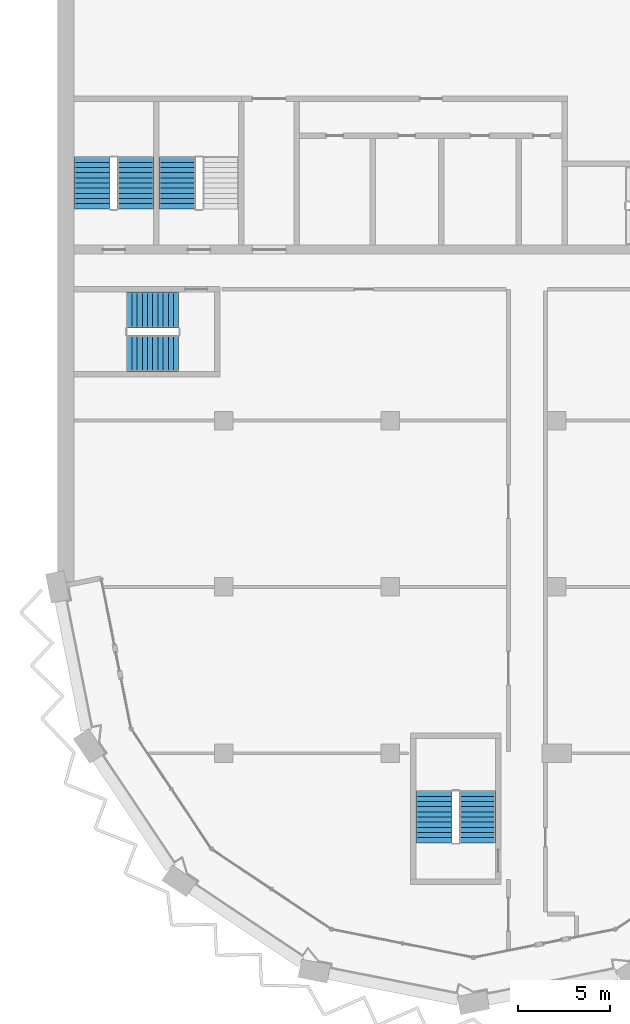
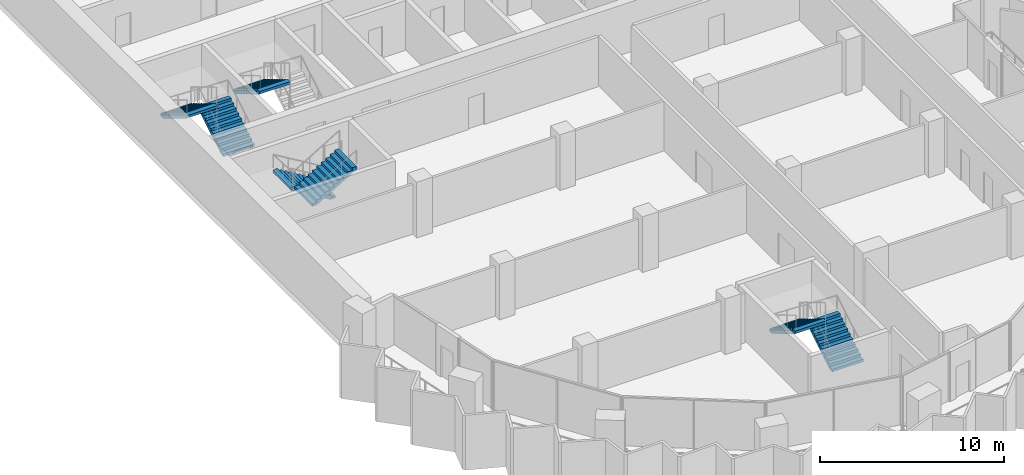
# One storey, part 11 of 16: 7 stair flights, 4 elements without a shape of their own.
"""IFC4 building model written with IfcOpenShell, lengths in metres."""

from ifc_helpers import new_model, si_unit, direction, frame, origin, place, context, subcontext, project, spatial, polyline, outline, extrude, material, type_object, element, aggregate, save


model = new_model("IFC4")

# Units and contexts
model_context = context("Model", 3, precision=1e-05, world=origin(), true_north=direction((0.0, 1.0)))
body_context = subcontext(model_context, "Body", "Model", "MODEL_VIEW")
ifc_project = project(units=[si_unit("LENGTHUNIT", "METRE"), si_unit("AREAUNIT", "SQUARE_METRE"), si_unit("VOLUMEUNIT", "CUBIC_METRE"), si_unit("PLANEANGLEUNIT", "RADIAN"), si_unit("MASSUNIT", "GRAM", prefix="KILO")], contexts=[model_context])

# Site, building, storey
site_placement = place(None, origin())
site = spatial("IfcSite", under=ifc_project, at=site_placement, CompositionType="ELEMENT")
building_placement = place(site_placement, origin())
building = spatial("IfcBuilding", under=site, at=building_placement, Name="Hunhe Ridgeline Campus", CompositionType="ELEMENT")
storey_placement = place(building_placement, frame((0.0, 0.0, 235.5)))
storey = spatial("IfcBuildingStorey", under=building, at=storey_placement, Name="L60", CompositionType="ELEMENT", Elevation=235.5)

# Stair, stair flights
ifc_material = material(Name="Concrete C40", Category="concrete")
stair_type = type_object("IfcStairType", Name="Reinforced concrete dog-leg stair 1950 Concrete C40", PredefinedType="HALF_TURN_STAIR", material=ifc_material)
stair_1_placement = place(storey_placement, origin())
stair_1 = element("IfcStair", 1, at=stair_1_placement, inside=storey, type_object=stair_type, Name="L60 S3", PredefinedType="HALF_TURN_STAIR")
stair_flight_type = type_object("IfcStairFlightType", Name="Reinforced concrete stair flight 1950 Concrete C40", PredefinedType="STRAIGHT", material=ifc_material)
stair_flight_1_placement = place(storey_placement, frame((4.22509765625, 65.449951171875, 0.0), z_axis=(0.0, 0.0, 1.0), x_axis=(0.0, 1.0, 0.0)))
stair_flight_1 = element("IfcStairFlight", 2, at=stair_flight_1_placement, type_object=stair_flight_type, Name="ST3 flight 1", NumberOfRisers=11, NumberOfTreads=10, PredefinedType="STRAIGHT", RiserHeight=0.168181818, TreadLength=0.28, context=body_context, shape_type="SweptSolid", body=[
    extrude(outline(polyline([(0.0, 0.0), (0.0, 0.168212890625), (0.280029296875, 0.168212890625), (0.280029296875, 0.33642578125), (0.56005859375, 0.33642578125), (0.56005859375, 0.504638671875), (0.840087890625, 0.504638671875), (0.840087890625, 0.672607421875), (1.1201171875, 0.672607421875), (1.1201171875, 0.8408203125), (1.39990234375, 0.8408203125), (1.39990234375, 1.009033203125), (1.679931640625, 1.009033203125), (1.679931640625, 1.17724609375), (1.9599609375, 1.17724609375), (1.9599609375, 1.345458984375), (2.239990234375, 1.345458984375), (2.239990234375, 1.513671875), (2.52001953125, 1.513671875), (2.52001953125, 1.681884765625), (2.800048828125, 1.681884765625), (2.800048828125, 1.85009765625), (2.800048828125, 1.5068359375), (0.291015625, 0.0), (0.0, 0.0)])), frame((0.0, 0.97509765625, 0.0), z_axis=(0.0, -1.0, 0.0), x_axis=(1.0, 0.0, 0.0)), (0.0, 0.0, 1.0), 1.949951171875),
    extrude(outline(polyline([(0.030029296875, 0.030029296875), (0.030029296875, 0.13818359375), (0.31005859375, 0.13818359375), (0.31005859375, 0.306396484375), (0.590087890625, 0.306396484375), (0.590087890625, 0.474609375), (0.8701171875, 0.474609375), (0.8701171875, 0.642578125), (1.14990234375, 0.642578125), (1.14990234375, 0.810791015625), (1.429931640625, 0.810791015625), (1.429931640625, 0.97900390625), (1.7099609375, 0.97900390625), (1.7099609375, 1.147216796875), (1.989990234375, 1.147216796875), (1.989990234375, 1.3154296875), (2.27001953125, 1.3154296875), (2.27001953125, 1.483642578125), (2.550048828125, 1.483642578125), (2.550048828125, 1.65185546875), (2.77001953125, 1.65185546875), (2.77001953125, 1.52392578125), (0.28271484375, 0.030029296875), (0.030029296875, 0.030029296875)])), frame((0.0, -0.070068359375, 0.0), z_axis=(0.0, -1.0, 0.0), x_axis=(1.0, 0.0, 0.0)), (0.0, 0.0, 1.0), 0.019775390625),
    extrude(outline(polyline([(0.030029296875, 0.030029296875), (0.030029296875, 0.13818359375), (0.31005859375, 0.13818359375), (0.31005859375, 0.306396484375), (0.590087890625, 0.306396484375), (0.590087890625, 0.474609375), (0.8701171875, 0.474609375), (0.8701171875, 0.642578125), (1.14990234375, 0.642578125), (1.14990234375, 0.810791015625), (1.429931640625, 0.810791015625), (1.429931640625, 0.97900390625), (1.7099609375, 0.97900390625), (1.7099609375, 1.147216796875), (1.989990234375, 1.147216796875), (1.989990234375, 1.3154296875), (2.27001953125, 1.3154296875), (2.27001953125, 1.483642578125), (2.550048828125, 1.483642578125), (2.550048828125, 1.65185546875), (2.77001953125, 1.65185546875), (2.77001953125, 1.52392578125), (0.28271484375, 0.030029296875), (0.030029296875, 0.030029296875)])), frame((0.0, 0.010009765625, 0.0), z_axis=(0.0, -1.0, 0.0), x_axis=(1.0, 0.0, 0.0)), (0.0, 0.0, 1.0), 0.019775390625),
    extrude(outline(polyline([(0.030029296875, 0.030029296875), (0.030029296875, 0.13818359375), (0.31005859375, 0.13818359375), (0.31005859375, 0.306396484375), (0.590087890625, 0.306396484375), (0.590087890625, 0.474609375), (0.8701171875, 0.474609375), (0.8701171875, 0.642578125), (1.14990234375, 0.642578125), (1.14990234375, 0.810791015625), (1.429931640625, 0.810791015625), (1.429931640625, 0.97900390625), (1.7099609375, 0.97900390625), (1.7099609375, 1.147216796875), (1.989990234375, 1.147216796875), (1.989990234375, 1.3154296875), (2.27001953125, 1.3154296875), (2.27001953125, 1.483642578125), (2.550048828125, 1.483642578125), (2.550048828125, 1.65185546875), (2.77001953125, 1.65185546875), (2.77001953125, 1.52392578125), (0.28271484375, 0.030029296875), (0.030029296875, 0.030029296875)])), frame((0.0, 0.090087890625, 0.0), z_axis=(0.0, -1.0, 0.0), x_axis=(1.0, 0.0, 0.0)), (0.0, 0.0, 1.0), 0.019775390625),
])
stair_flight_2_placement = place(storey_placement, frame((1.875, 68.25, 1.85009765625), z_axis=(0.0, 0.0, 1.0), x_axis=(0.0, -1.0, 0.0)))
stair_flight_2 = element("IfcStairFlight", 3, at=stair_flight_2_placement, type_object=stair_flight_type, Name="ST3 flight 2", NumberOfRisers=11, NumberOfTreads=10, PredefinedType="STRAIGHT", RiserHeight=0.168181818, TreadLength=0.28, context=body_context, shape_type="SweptSolid", body=[
    extrude(outline(polyline([(0.0, 0.0), (0.0, 0.168212890625), (0.280029296875, 0.168212890625), (0.280029296875, 0.33642578125), (0.56005859375, 0.33642578125), (0.56005859375, 0.504638671875), (0.840087890625, 0.504638671875), (0.840087890625, 0.672607421875), (1.1201171875, 0.672607421875), (1.1201171875, 0.8408203125), (1.39990234375, 0.8408203125), (1.39990234375, 1.009033203125), (1.679931640625, 1.009033203125), (1.679931640625, 1.17724609375), (1.9599609375, 1.17724609375), (1.9599609375, 1.345458984375), (2.239990234375, 1.345458984375), (2.239990234375, 1.513671875), (2.52001953125, 1.513671875), (2.52001953125, 1.681884765625), (2.800048828125, 1.681884765625), (2.800048828125, 1.85009765625), (2.800048828125, 1.5068359375), (0.291015625, 0.0), (0.0, 0.0)])), frame((0.0, 0.97509765625, 0.0), z_axis=(0.0, -1.0, 0.0), x_axis=(1.0, 0.0, 0.0)), (0.0, 0.0, 1.0), 1.949951171875),
    extrude(outline(polyline([(0.030029296875, 0.030029296875), (0.030029296875, 0.13818359375), (0.31005859375, 0.13818359375), (0.31005859375, 0.306396484375), (0.590087890625, 0.306396484375), (0.590087890625, 0.474609375), (0.8701171875, 0.474609375), (0.8701171875, 0.642578125), (1.14990234375, 0.642578125), (1.14990234375, 0.810791015625), (1.429931640625, 0.810791015625), (1.429931640625, 0.97900390625), (1.7099609375, 0.97900390625), (1.7099609375, 1.147216796875), (1.989990234375, 1.147216796875), (1.989990234375, 1.3154296875), (2.27001953125, 1.3154296875), (2.27001953125, 1.483642578125), (2.550048828125, 1.483642578125), (2.550048828125, 1.65185546875), (2.77001953125, 1.65185546875), (2.77001953125, 1.52392578125), (0.28271484375, 0.030029296875), (0.030029296875, 0.030029296875)])), frame((0.0, -0.070068359375, 0.0), z_axis=(0.0, -1.0, 0.0), x_axis=(1.0, 0.0, 0.0)), (0.0, 0.0, 1.0), 0.019775390625),
    extrude(outline(polyline([(0.030029296875, 0.030029296875), (0.030029296875, 0.13818359375), (0.31005859375, 0.13818359375), (0.31005859375, 0.306396484375), (0.590087890625, 0.306396484375), (0.590087890625, 0.474609375), (0.8701171875, 0.474609375), (0.8701171875, 0.642578125), (1.14990234375, 0.642578125), (1.14990234375, 0.810791015625), (1.429931640625, 0.810791015625), (1.429931640625, 0.97900390625), (1.7099609375, 0.97900390625), (1.7099609375, 1.147216796875), (1.989990234375, 1.147216796875), (1.989990234375, 1.3154296875), (2.27001953125, 1.3154296875), (2.27001953125, 1.483642578125), (2.550048828125, 1.483642578125), (2.550048828125, 1.65185546875), (2.77001953125, 1.65185546875), (2.77001953125, 1.52392578125), (0.28271484375, 0.030029296875), (0.030029296875, 0.030029296875)])), frame((0.0, 0.010009765625, 0.0), z_axis=(0.0, -1.0, 0.0), x_axis=(1.0, 0.0, 0.0)), (0.0, 0.0, 1.0), 0.019775390625),
    extrude(outline(polyline([(0.030029296875, 0.030029296875), (0.030029296875, 0.13818359375), (0.31005859375, 0.13818359375), (0.31005859375, 0.306396484375), (0.590087890625, 0.306396484375), (0.590087890625, 0.474609375), (0.8701171875, 0.474609375), (0.8701171875, 0.642578125), (1.14990234375, 0.642578125), (1.14990234375, 0.810791015625), (1.429931640625, 0.810791015625), (1.429931640625, 0.97900390625), (1.7099609375, 0.97900390625), (1.7099609375, 1.147216796875), (1.989990234375, 1.147216796875), (1.989990234375, 1.3154296875), (2.27001953125, 1.3154296875), (2.27001953125, 1.483642578125), (2.550048828125, 1.483642578125), (2.550048828125, 1.65185546875), (2.77001953125, 1.65185546875), (2.77001953125, 1.52392578125), (0.28271484375, 0.030029296875), (0.030029296875, 0.030029296875)])), frame((0.0, 0.090087890625, 0.0), z_axis=(0.0, -1.0, 0.0), x_axis=(1.0, 0.0, 0.0)), (0.0, 0.0, 1.0), 0.019775390625),
])
aggregate(stair_1, [stair_flight_1, stair_flight_2])

# Stair, stair flight
stair_2_placement = place(storey_placement, origin())
stair_2 = element("IfcStair", 4, at=stair_2_placement, inside=storey, type_object=stair_type, Name="L60 S4", PredefinedType="HALF_TURN_STAIR")
stair_flight_3_placement = place(storey_placement, frame((6.47509765625, 68.25, 1.85009765625), z_axis=(0.0, 0.0, 1.0), x_axis=(0.0, -1.0, 0.0)))
stair_flight_3 = element("IfcStairFlight", 5, at=stair_flight_3_placement, type_object=stair_flight_type, Name="ST4 flight 2", NumberOfRisers=11, NumberOfTreads=10, PredefinedType="STRAIGHT", RiserHeight=0.168181818, TreadLength=0.28, context=body_context, shape_type="SweptSolid", body=[
    extrude(outline(polyline([(0.0, 0.0), (0.0, 0.168212890625), (0.280029296875, 0.168212890625), (0.280029296875, 0.33642578125), (0.56005859375, 0.33642578125), (0.56005859375, 0.504638671875), (0.840087890625, 0.504638671875), (0.840087890625, 0.672607421875), (1.1201171875, 0.672607421875), (1.1201171875, 0.8408203125), (1.39990234375, 0.8408203125), (1.39990234375, 1.009033203125), (1.679931640625, 1.009033203125), (1.679931640625, 1.17724609375), (1.9599609375, 1.17724609375), (1.9599609375, 1.345458984375), (2.239990234375, 1.345458984375), (2.239990234375, 1.513671875), (2.52001953125, 1.513671875), (2.52001953125, 1.681884765625), (2.800048828125, 1.681884765625), (2.800048828125, 1.85009765625), (2.800048828125, 1.5068359375), (0.291015625, 0.0), (0.0, 0.0)])), frame((0.0, 0.97509765625, 0.0), z_axis=(0.0, -1.0, 0.0), x_axis=(1.0, 0.0, 0.0)), (0.0, 0.0, 1.0), 1.949951171875),
    extrude(outline(polyline([(0.030029296875, 0.030029296875), (0.030029296875, 0.13818359375), (0.31005859375, 0.13818359375), (0.31005859375, 0.306396484375), (0.590087890625, 0.306396484375), (0.590087890625, 0.474609375), (0.8701171875, 0.474609375), (0.8701171875, 0.642578125), (1.14990234375, 0.642578125), (1.14990234375, 0.810791015625), (1.429931640625, 0.810791015625), (1.429931640625, 0.97900390625), (1.7099609375, 0.97900390625), (1.7099609375, 1.147216796875), (1.989990234375, 1.147216796875), (1.989990234375, 1.3154296875), (2.27001953125, 1.3154296875), (2.27001953125, 1.483642578125), (2.550048828125, 1.483642578125), (2.550048828125, 1.65185546875), (2.77001953125, 1.65185546875), (2.77001953125, 1.52392578125), (0.28271484375, 0.030029296875), (0.030029296875, 0.030029296875)])), frame((0.0, -0.070068359375, 0.0), z_axis=(0.0, -1.0, 0.0), x_axis=(1.0, 0.0, 0.0)), (0.0, 0.0, 1.0), 0.019775390625),
    extrude(outline(polyline([(0.030029296875, 0.030029296875), (0.030029296875, 0.13818359375), (0.31005859375, 0.13818359375), (0.31005859375, 0.306396484375), (0.590087890625, 0.306396484375), (0.590087890625, 0.474609375), (0.8701171875, 0.474609375), (0.8701171875, 0.642578125), (1.14990234375, 0.642578125), (1.14990234375, 0.810791015625), (1.429931640625, 0.810791015625), (1.429931640625, 0.97900390625), (1.7099609375, 0.97900390625), (1.7099609375, 1.147216796875), (1.989990234375, 1.147216796875), (1.989990234375, 1.3154296875), (2.27001953125, 1.3154296875), (2.27001953125, 1.483642578125), (2.550048828125, 1.483642578125), (2.550048828125, 1.65185546875), (2.77001953125, 1.65185546875), (2.77001953125, 1.52392578125), (0.28271484375, 0.030029296875), (0.030029296875, 0.030029296875)])), frame((0.0, 0.010009765625, 0.0), z_axis=(0.0, -1.0, 0.0), x_axis=(1.0, 0.0, 0.0)), (0.0, 0.0, 1.0), 0.019775390625),
    extrude(outline(polyline([(0.030029296875, 0.030029296875), (0.030029296875, 0.13818359375), (0.31005859375, 0.13818359375), (0.31005859375, 0.306396484375), (0.590087890625, 0.306396484375), (0.590087890625, 0.474609375), (0.8701171875, 0.474609375), (0.8701171875, 0.642578125), (1.14990234375, 0.642578125), (1.14990234375, 0.810791015625), (1.429931640625, 0.810791015625), (1.429931640625, 0.97900390625), (1.7099609375, 0.97900390625), (1.7099609375, 1.147216796875), (1.989990234375, 1.147216796875), (1.989990234375, 1.3154296875), (2.27001953125, 1.3154296875), (2.27001953125, 1.483642578125), (2.550048828125, 1.483642578125), (2.550048828125, 1.65185546875), (2.77001953125, 1.65185546875), (2.77001953125, 1.52392578125), (0.28271484375, 0.030029296875), (0.030029296875, 0.030029296875)])), frame((0.0, 0.090087890625, 0.0), z_axis=(0.0, -1.0, 0.0), x_axis=(1.0, 0.0, 0.0)), (0.0, 0.0, 1.0), 0.019775390625),
])
aggregate(stair_2, [stair_flight_3])

# Stair, stair flights
stair_3_placement = place(storey_placement, origin())
stair_3 = element("IfcStair", 6, at=stair_3_placement, inside=storey, type_object=stair_type, Name="L60 W3", PredefinedType="HALF_TURN_STAIR")
stair_flight_4_placement = place(storey_placement, frame((22.72509765625, 31.14990234375, 0.0), z_axis=(0.0, 0.0, 1.0), x_axis=(0.0, 1.0, 0.0)))
stair_flight_4 = element("IfcStairFlight", 7, at=stair_flight_4_placement, type_object=stair_flight_type, Name="ST9 flight 1", NumberOfRisers=11, NumberOfTreads=10, PredefinedType="STRAIGHT", RiserHeight=0.168181818, TreadLength=0.28, context=body_context, shape_type="SweptSolid", body=[
    extrude(outline(polyline([(0.0, 0.0), (0.0, 0.168212890625), (0.280029296875, 0.168212890625), (0.280029296875, 0.33642578125), (0.56005859375, 0.33642578125), (0.56005859375, 0.504638671875), (0.840087890625, 0.504638671875), (0.840087890625, 0.672607421875), (1.1201171875, 0.672607421875), (1.1201171875, 0.8408203125), (1.39990234375, 0.8408203125), (1.39990234375, 1.009033203125), (1.679931640625, 1.009033203125), (1.679931640625, 1.17724609375), (1.9599609375, 1.17724609375), (1.9599609375, 1.345458984375), (2.239990234375, 1.345458984375), (2.239990234375, 1.513671875), (2.52001953125, 1.513671875), (2.52001953125, 1.681884765625), (2.800048828125, 1.681884765625), (2.800048828125, 1.85009765625), (2.800048828125, 1.5068359375), (0.291015625, 0.0), (0.0, 0.0)])), frame((0.0, 0.97509765625, 0.0), z_axis=(0.0, -1.0, 0.0), x_axis=(1.0, 0.0, 0.0)), (0.0, 0.0, 1.0), 1.949951171875),
    extrude(outline(polyline([(0.030029296875, 0.030029296875), (0.030029296875, 0.13818359375), (0.31005859375, 0.13818359375), (0.31005859375, 0.306396484375), (0.590087890625, 0.306396484375), (0.590087890625, 0.474609375), (0.8701171875, 0.474609375), (0.8701171875, 0.642578125), (1.14990234375, 0.642578125), (1.14990234375, 0.810791015625), (1.429931640625, 0.810791015625), (1.429931640625, 0.97900390625), (1.7099609375, 0.97900390625), (1.7099609375, 1.147216796875), (1.989990234375, 1.147216796875), (1.989990234375, 1.3154296875), (2.27001953125, 1.3154296875), (2.27001953125, 1.483642578125), (2.550048828125, 1.483642578125), (2.550048828125, 1.65185546875), (2.77001953125, 1.65185546875), (2.77001953125, 1.52392578125), (0.28271484375, 0.030029296875), (0.030029296875, 0.030029296875)])), frame((0.0, -0.070068359375, 0.0), z_axis=(0.0, -1.0, 0.0), x_axis=(1.0, 0.0, 0.0)), (0.0, 0.0, 1.0), 0.019775390625),
    extrude(outline(polyline([(0.030029296875, 0.030029296875), (0.030029296875, 0.13818359375), (0.31005859375, 0.13818359375), (0.31005859375, 0.306396484375), (0.590087890625, 0.306396484375), (0.590087890625, 0.474609375), (0.8701171875, 0.474609375), (0.8701171875, 0.642578125), (1.14990234375, 0.642578125), (1.14990234375, 0.810791015625), (1.429931640625, 0.810791015625), (1.429931640625, 0.97900390625), (1.7099609375, 0.97900390625), (1.7099609375, 1.147216796875), (1.989990234375, 1.147216796875), (1.989990234375, 1.3154296875), (2.27001953125, 1.3154296875), (2.27001953125, 1.483642578125), (2.550048828125, 1.483642578125), (2.550048828125, 1.65185546875), (2.77001953125, 1.65185546875), (2.77001953125, 1.52392578125), (0.28271484375, 0.030029296875), (0.030029296875, 0.030029296875)])), frame((0.0, 0.010009765625, 0.0), z_axis=(0.0, -1.0, 0.0), x_axis=(1.0, 0.0, 0.0)), (0.0, 0.0, 1.0), 0.019775390625),
    extrude(outline(polyline([(0.030029296875, 0.030029296875), (0.030029296875, 0.13818359375), (0.31005859375, 0.13818359375), (0.31005859375, 0.306396484375), (0.590087890625, 0.306396484375), (0.590087890625, 0.474609375), (0.8701171875, 0.474609375), (0.8701171875, 0.642578125), (1.14990234375, 0.642578125), (1.14990234375, 0.810791015625), (1.429931640625, 0.810791015625), (1.429931640625, 0.97900390625), (1.7099609375, 0.97900390625), (1.7099609375, 1.147216796875), (1.989990234375, 1.147216796875), (1.989990234375, 1.3154296875), (2.27001953125, 1.3154296875), (2.27001953125, 1.483642578125), (2.550048828125, 1.483642578125), (2.550048828125, 1.65185546875), (2.77001953125, 1.65185546875), (2.77001953125, 1.52392578125), (0.28271484375, 0.030029296875), (0.030029296875, 0.030029296875)])), frame((0.0, 0.090087890625, 0.0), z_axis=(0.0, -1.0, 0.0), x_axis=(1.0, 0.0, 0.0)), (0.0, 0.0, 1.0), 0.019775390625),
])
stair_flight_5_placement = place(storey_placement, frame((20.375, 33.949951171875, 1.85009765625), z_axis=(0.0, 0.0, 1.0), x_axis=(0.0, -1.0, 0.0)))
stair_flight_5 = element("IfcStairFlight", 8, at=stair_flight_5_placement, type_object=stair_flight_type, Name="ST9 flight 2", NumberOfRisers=11, NumberOfTreads=10, PredefinedType="STRAIGHT", RiserHeight=0.168181818, TreadLength=0.28, context=body_context, shape_type="SweptSolid", body=[
    extrude(outline(polyline([(0.0, 0.0), (0.0, 0.168212890625), (0.280029296875, 0.168212890625), (0.280029296875, 0.33642578125), (0.56005859375, 0.33642578125), (0.56005859375, 0.504638671875), (0.840087890625, 0.504638671875), (0.840087890625, 0.672607421875), (1.1201171875, 0.672607421875), (1.1201171875, 0.8408203125), (1.39990234375, 0.8408203125), (1.39990234375, 1.009033203125), (1.679931640625, 1.009033203125), (1.679931640625, 1.17724609375), (1.9599609375, 1.17724609375), (1.9599609375, 1.345458984375), (2.239990234375, 1.345458984375), (2.239990234375, 1.513671875), (2.52001953125, 1.513671875), (2.52001953125, 1.681884765625), (2.800048828125, 1.681884765625), (2.800048828125, 1.85009765625), (2.800048828125, 1.5068359375), (0.291015625, 0.0), (0.0, 0.0)])), frame((0.0, 0.97509765625, 0.0), z_axis=(0.0, -1.0, 0.0), x_axis=(1.0, 0.0, 0.0)), (0.0, 0.0, 1.0), 1.949951171875),
    extrude(outline(polyline([(0.030029296875, 0.030029296875), (0.030029296875, 0.13818359375), (0.31005859375, 0.13818359375), (0.31005859375, 0.306396484375), (0.590087890625, 0.306396484375), (0.590087890625, 0.474609375), (0.8701171875, 0.474609375), (0.8701171875, 0.642578125), (1.14990234375, 0.642578125), (1.14990234375, 0.810791015625), (1.429931640625, 0.810791015625), (1.429931640625, 0.97900390625), (1.7099609375, 0.97900390625), (1.7099609375, 1.147216796875), (1.989990234375, 1.147216796875), (1.989990234375, 1.3154296875), (2.27001953125, 1.3154296875), (2.27001953125, 1.483642578125), (2.550048828125, 1.483642578125), (2.550048828125, 1.65185546875), (2.77001953125, 1.65185546875), (2.77001953125, 1.52392578125), (0.28271484375, 0.030029296875), (0.030029296875, 0.030029296875)])), frame((0.0, -0.070068359375, 0.0), z_axis=(0.0, -1.0, 0.0), x_axis=(1.0, 0.0, 0.0)), (0.0, 0.0, 1.0), 0.019775390625),
    extrude(outline(polyline([(0.030029296875, 0.030029296875), (0.030029296875, 0.13818359375), (0.31005859375, 0.13818359375), (0.31005859375, 0.306396484375), (0.590087890625, 0.306396484375), (0.590087890625, 0.474609375), (0.8701171875, 0.474609375), (0.8701171875, 0.642578125), (1.14990234375, 0.642578125), (1.14990234375, 0.810791015625), (1.429931640625, 0.810791015625), (1.429931640625, 0.97900390625), (1.7099609375, 0.97900390625), (1.7099609375, 1.147216796875), (1.989990234375, 1.147216796875), (1.989990234375, 1.3154296875), (2.27001953125, 1.3154296875), (2.27001953125, 1.483642578125), (2.550048828125, 1.483642578125), (2.550048828125, 1.65185546875), (2.77001953125, 1.65185546875), (2.77001953125, 1.52392578125), (0.28271484375, 0.030029296875), (0.030029296875, 0.030029296875)])), frame((0.0, 0.010009765625, 0.0), z_axis=(0.0, -1.0, 0.0), x_axis=(1.0, 0.0, 0.0)), (0.0, 0.0, 1.0), 0.019775390625),
    extrude(outline(polyline([(0.030029296875, 0.030029296875), (0.030029296875, 0.13818359375), (0.31005859375, 0.13818359375), (0.31005859375, 0.306396484375), (0.590087890625, 0.306396484375), (0.590087890625, 0.474609375), (0.8701171875, 0.474609375), (0.8701171875, 0.642578125), (1.14990234375, 0.642578125), (1.14990234375, 0.810791015625), (1.429931640625, 0.810791015625), (1.429931640625, 0.97900390625), (1.7099609375, 0.97900390625), (1.7099609375, 1.147216796875), (1.989990234375, 1.147216796875), (1.989990234375, 1.3154296875), (2.27001953125, 1.3154296875), (2.27001953125, 1.483642578125), (2.550048828125, 1.483642578125), (2.550048828125, 1.65185546875), (2.77001953125, 1.65185546875), (2.77001953125, 1.52392578125), (0.28271484375, 0.030029296875), (0.030029296875, 0.030029296875)])), frame((0.0, 0.090087890625, 0.0), z_axis=(0.0, -1.0, 0.0), x_axis=(1.0, 0.0, 0.0)), (0.0, 0.0, 1.0), 0.019775390625),
])
aggregate(stair_3, [stair_flight_4, stair_flight_5])

stair_4_placement = place(storey_placement, origin())
stair_4 = element("IfcStair", 9, at=stair_4_placement, inside=storey, type_object=stair_type, Name="L60 W2", PredefinedType="HALF_TURN_STAIR")
stair_flight_6_placement = place(storey_placement, frame((6.550048828125, 59.97509765625, 0.0), z_axis=(0.0, 0.0, 1.0), x_axis=(-1.0, 0.0, 0.0)))
stair_flight_6 = element("IfcStairFlight", 10, at=stair_flight_6_placement, type_object=stair_flight_type, Name="ST12 flight 1", NumberOfRisers=11, NumberOfTreads=10, PredefinedType="STRAIGHT", RiserHeight=0.168181818, TreadLength=0.28, context=body_context, shape_type="SweptSolid", body=[
    extrude(outline(polyline([(0.0, 0.0), (0.0, 0.168212890625), (0.280029296875, 0.168212890625), (0.280029296875, 0.33642578125), (0.56005859375, 0.33642578125), (0.56005859375, 0.504638671875), (0.840087890625, 0.504638671875), (0.840087890625, 0.672607421875), (1.1201171875, 0.672607421875), (1.1201171875, 0.8408203125), (1.39990234375, 0.8408203125), (1.39990234375, 1.009033203125), (1.679931640625, 1.009033203125), (1.679931640625, 1.17724609375), (1.9599609375, 1.17724609375), (1.9599609375, 1.345458984375), (2.239990234375, 1.345458984375), (2.239990234375, 1.513671875), (2.52001953125, 1.513671875), (2.52001953125, 1.681884765625), (2.800048828125, 1.681884765625), (2.800048828125, 1.85009765625), (2.800048828125, 1.5068359375), (0.291015625, 0.0), (0.0, 0.0)])), frame((0.0, 0.97509765625, 0.0), z_axis=(0.0, -1.0, 0.0), x_axis=(1.0, 0.0, 0.0)), (0.0, 0.0, 1.0), 1.949951171875),
    extrude(outline(polyline([(0.030029296875, 0.030029296875), (0.030029296875, 0.13818359375), (0.31005859375, 0.13818359375), (0.31005859375, 0.306396484375), (0.590087890625, 0.306396484375), (0.590087890625, 0.474609375), (0.8701171875, 0.474609375), (0.8701171875, 0.642578125), (1.14990234375, 0.642578125), (1.14990234375, 0.810791015625), (1.429931640625, 0.810791015625), (1.429931640625, 0.97900390625), (1.7099609375, 0.97900390625), (1.7099609375, 1.147216796875), (1.989990234375, 1.147216796875), (1.989990234375, 1.3154296875), (2.27001953125, 1.3154296875), (2.27001953125, 1.483642578125), (2.550048828125, 1.483642578125), (2.550048828125, 1.65185546875), (2.77001953125, 1.65185546875), (2.77001953125, 1.52392578125), (0.28271484375, 0.030029296875), (0.030029296875, 0.030029296875)])), frame((0.0, -0.070068359375, 0.0), z_axis=(0.0, -1.0, 0.0), x_axis=(1.0, 0.0, 0.0)), (0.0, 0.0, 1.0), 0.019775390625),
    extrude(outline(polyline([(0.030029296875, 0.030029296875), (0.030029296875, 0.13818359375), (0.31005859375, 0.13818359375), (0.31005859375, 0.306396484375), (0.590087890625, 0.306396484375), (0.590087890625, 0.474609375), (0.8701171875, 0.474609375), (0.8701171875, 0.642578125), (1.14990234375, 0.642578125), (1.14990234375, 0.810791015625), (1.429931640625, 0.810791015625), (1.429931640625, 0.97900390625), (1.7099609375, 0.97900390625), (1.7099609375, 1.147216796875), (1.989990234375, 1.147216796875), (1.989990234375, 1.3154296875), (2.27001953125, 1.3154296875), (2.27001953125, 1.483642578125), (2.550048828125, 1.483642578125), (2.550048828125, 1.65185546875), (2.77001953125, 1.65185546875), (2.77001953125, 1.52392578125), (0.28271484375, 0.030029296875), (0.030029296875, 0.030029296875)])), frame((0.0, 0.010009765625, 0.0), z_axis=(0.0, -1.0, 0.0), x_axis=(1.0, 0.0, 0.0)), (0.0, 0.0, 1.0), 0.019775390625),
    extrude(outline(polyline([(0.030029296875, 0.030029296875), (0.030029296875, 0.13818359375), (0.31005859375, 0.13818359375), (0.31005859375, 0.306396484375), (0.590087890625, 0.306396484375), (0.590087890625, 0.474609375), (0.8701171875, 0.474609375), (0.8701171875, 0.642578125), (1.14990234375, 0.642578125), (1.14990234375, 0.810791015625), (1.429931640625, 0.810791015625), (1.429931640625, 0.97900390625), (1.7099609375, 0.97900390625), (1.7099609375, 1.147216796875), (1.989990234375, 1.147216796875), (1.989990234375, 1.3154296875), (2.27001953125, 1.3154296875), (2.27001953125, 1.483642578125), (2.550048828125, 1.483642578125), (2.550048828125, 1.65185546875), (2.77001953125, 1.65185546875), (2.77001953125, 1.52392578125), (0.28271484375, 0.030029296875), (0.030029296875, 0.030029296875)])), frame((0.0, 0.090087890625, 0.0), z_axis=(0.0, -1.0, 0.0), x_axis=(1.0, 0.0, 0.0)), (0.0, 0.0, 1.0), 0.019775390625),
])
stair_flight_7_placement = place(storey_placement, frame((3.75, 57.625, 1.85009765625), z_axis=(0.0, 0.0, 1.0), x_axis=(1.0, 0.0, 0.0)))
stair_flight_7 = element("IfcStairFlight", 11, at=stair_flight_7_placement, type_object=stair_flight_type, Name="ST12 flight 2", NumberOfRisers=11, NumberOfTreads=10, PredefinedType="STRAIGHT", RiserHeight=0.168181818, TreadLength=0.28, context=body_context, shape_type="SweptSolid", body=[
    extrude(outline(polyline([(0.0, 0.0), (0.0, 0.168212890625), (0.280029296875, 0.168212890625), (0.280029296875, 0.33642578125), (0.56005859375, 0.33642578125), (0.56005859375, 0.504638671875), (0.840087890625, 0.504638671875), (0.840087890625, 0.672607421875), (1.1201171875, 0.672607421875), (1.1201171875, 0.8408203125), (1.39990234375, 0.8408203125), (1.39990234375, 1.009033203125), (1.679931640625, 1.009033203125), (1.679931640625, 1.17724609375), (1.9599609375, 1.17724609375), (1.9599609375, 1.345458984375), (2.239990234375, 1.345458984375), (2.239990234375, 1.513671875), (2.52001953125, 1.513671875), (2.52001953125, 1.681884765625), (2.800048828125, 1.681884765625), (2.800048828125, 1.85009765625), (2.800048828125, 1.5068359375), (0.291015625, 0.0), (0.0, 0.0)])), frame((0.0, 0.97509765625, 0.0), z_axis=(0.0, -1.0, 0.0), x_axis=(1.0, 0.0, 0.0)), (0.0, 0.0, 1.0), 1.949951171875),
    extrude(outline(polyline([(0.030029296875, 0.030029296875), (0.030029296875, 0.13818359375), (0.31005859375, 0.13818359375), (0.31005859375, 0.306396484375), (0.590087890625, 0.306396484375), (0.590087890625, 0.474609375), (0.8701171875, 0.474609375), (0.8701171875, 0.642578125), (1.14990234375, 0.642578125), (1.14990234375, 0.810791015625), (1.429931640625, 0.810791015625), (1.429931640625, 0.97900390625), (1.7099609375, 0.97900390625), (1.7099609375, 1.147216796875), (1.989990234375, 1.147216796875), (1.989990234375, 1.3154296875), (2.27001953125, 1.3154296875), (2.27001953125, 1.483642578125), (2.550048828125, 1.483642578125), (2.550048828125, 1.65185546875), (2.77001953125, 1.65185546875), (2.77001953125, 1.52392578125), (0.28271484375, 0.030029296875), (0.030029296875, 0.030029296875)])), frame((0.0, -0.070068359375, 0.0), z_axis=(0.0, -1.0, 0.0), x_axis=(1.0, 0.0, 0.0)), (0.0, 0.0, 1.0), 0.019775390625),
    extrude(outline(polyline([(0.030029296875, 0.030029296875), (0.030029296875, 0.13818359375), (0.31005859375, 0.13818359375), (0.31005859375, 0.306396484375), (0.590087890625, 0.306396484375), (0.590087890625, 0.474609375), (0.8701171875, 0.474609375), (0.8701171875, 0.642578125), (1.14990234375, 0.642578125), (1.14990234375, 0.810791015625), (1.429931640625, 0.810791015625), (1.429931640625, 0.97900390625), (1.7099609375, 0.97900390625), (1.7099609375, 1.147216796875), (1.989990234375, 1.147216796875), (1.989990234375, 1.3154296875), (2.27001953125, 1.3154296875), (2.27001953125, 1.483642578125), (2.550048828125, 1.483642578125), (2.550048828125, 1.65185546875), (2.77001953125, 1.65185546875), (2.77001953125, 1.52392578125), (0.28271484375, 0.030029296875), (0.030029296875, 0.030029296875)])), frame((0.0, 0.010009765625, 0.0), z_axis=(0.0, -1.0, 0.0), x_axis=(1.0, 0.0, 0.0)), (0.0, 0.0, 1.0), 0.019775390625),
    extrude(outline(polyline([(0.030029296875, 0.030029296875), (0.030029296875, 0.13818359375), (0.31005859375, 0.13818359375), (0.31005859375, 0.306396484375), (0.590087890625, 0.306396484375), (0.590087890625, 0.474609375), (0.8701171875, 0.474609375), (0.8701171875, 0.642578125), (1.14990234375, 0.642578125), (1.14990234375, 0.810791015625), (1.429931640625, 0.810791015625), (1.429931640625, 0.97900390625), (1.7099609375, 0.97900390625), (1.7099609375, 1.147216796875), (1.989990234375, 1.147216796875), (1.989990234375, 1.3154296875), (2.27001953125, 1.3154296875), (2.27001953125, 1.483642578125), (2.550048828125, 1.483642578125), (2.550048828125, 1.65185546875), (2.77001953125, 1.65185546875), (2.77001953125, 1.52392578125), (0.28271484375, 0.030029296875), (0.030029296875, 0.030029296875)])), frame((0.0, 0.090087890625, 0.0), z_axis=(0.0, -1.0, 0.0), x_axis=(1.0, 0.0, 0.0)), (0.0, 0.0, 1.0), 0.019775390625),
])
aggregate(stair_4, [stair_flight_6, stair_flight_7])

save(model, "model.ifc")
